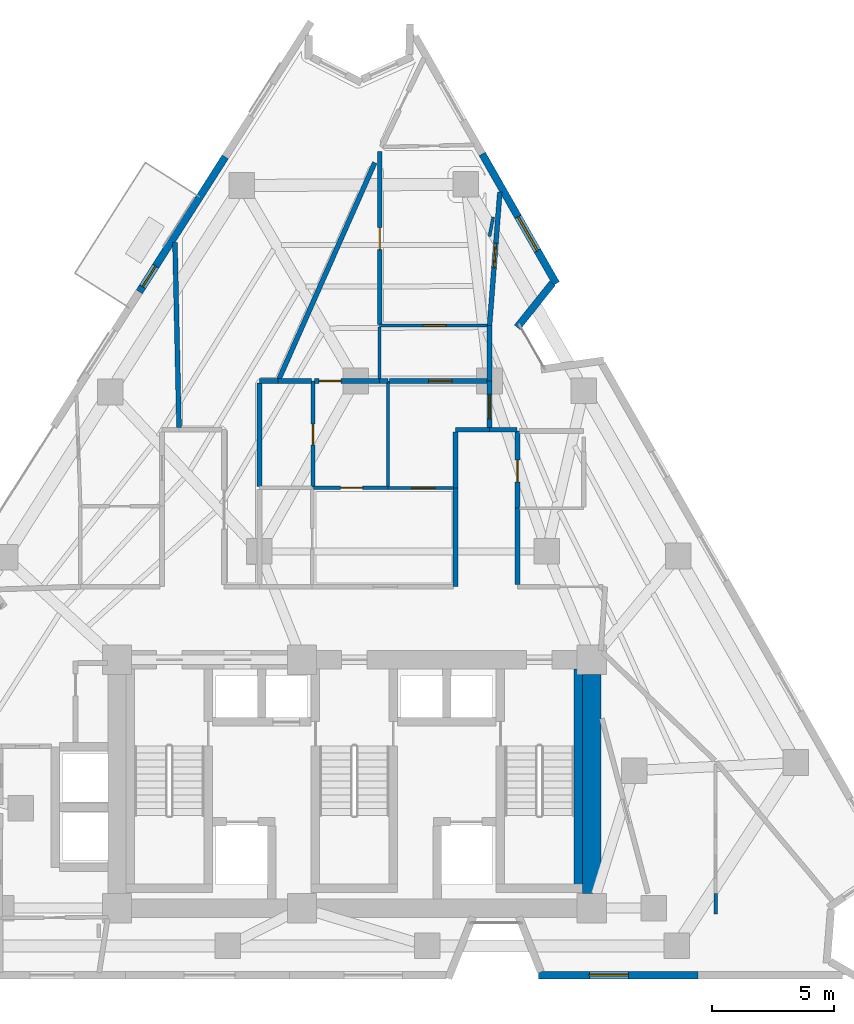
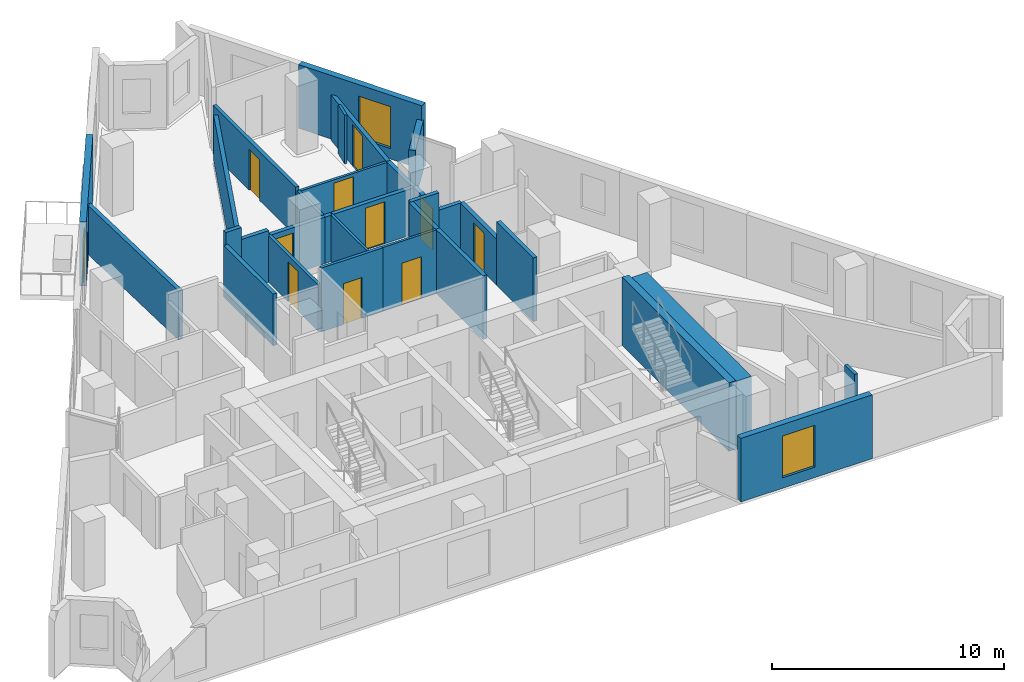
# One storey, part 7 of 11: 32 walls, 11 doors, 2 windows, 13 openings.
"""IFC4 building model written with IfcOpenShell, lengths in metres."""

import ifcopenshell
import ifcopenshell.guid

model = None  # the IFC model being written
_history = None  # IfcOwnerHistory: only IFC2X3 demands one
_inside = {}  # id of a spatial element -> (the spatial element, [elements in it])
_under = {}  # id of a project, library or spatial element -> (it, [spatial elements below it])
_declared = {}  # id of a project -> (the project, [libraries it declares])
_typed = {}  # id of a type object -> (the type object, [elements of that type])
_made_of = {}  # id of a material, layer set ... -> (it, [elements and type objects made of it])


def new_model(schema):
    """Start an empty IFC model of exactly this schema.

    Asked for "IFC4X3", IfcOpenShell would pick the latest addendum, in which some entities
    have other attributes; the version numbers below select the first issue.
    IFC2X3 requires an IfcOwnerHistory on every rooted entity: one is made here for all.
    """
    global model, _history
    if schema == "IFC4X3":
        model = ifcopenshell.file(schema_version=(4, 3, 0, 0))
    else:
        model = ifcopenshell.file(schema=schema)
    _inside.clear()
    _under.clear()
    _declared.clear()
    _typed.clear()
    _made_of.clear()
    _history = None
    if model.schema == "IFC2X3":
        org = make("IfcOrganization", Name="unknown")
        user = make(
            "IfcPersonAndOrganization",
            ThePerson=make("IfcPerson", FamilyName="unknown"),
            TheOrganization=org,
        )
        app = make(
            "IfcApplication",
            ApplicationDeveloper=org,
            Version="unknown",
            ApplicationFullName="unknown",
            ApplicationIdentifier="unknown",
        )
        _history = make(
            "IfcOwnerHistory",
            OwningUser=user,
            OwningApplication=app,
            ChangeAction="ADDED",
            CreationDate=0,
        )
    return model


def make(cls, **values):
    """One entity of the class cls with the attributes given. An attribute that is None is left unset."""
    return model.create_entity(
        cls, **{name: value for name, value in values.items() if value is not None}
    )


def rooted(cls, **values):
    """An entity with a GlobalId (a new one), such as an element, a storey or a relation."""
    return make(cls, GlobalId=ifcopenshell.guid.new(), OwnerHistory=_history, **values)


def si_unit(unit_type, name, prefix=None):
    """IfcSIUnit, for example si_unit("LENGTHUNIT", "METRE", prefix="MILLI")."""
    return make("IfcSIUnit", UnitType=unit_type, Prefix=prefix, Name=name)


def assignment(units):
    """IfcUnitAssignment: the units of a project."""
    return None if units is None else make("IfcUnitAssignment", Units=units)


def point(xyz):
    """IfcCartesianPoint."""
    return None if xyz is None else make("IfcCartesianPoint", Coordinates=xyz)


def direction(xyz):
    """IfcDirection."""
    return None if xyz is None else make("IfcDirection", DirectionRatios=xyz)


def frame(location, z_axis=None, x_axis=None):
    """IfcAxis2Placement3D, a coordinate frame: its origin and axes. An axis left out is left unset."""
    return make(
        "IfcAxis2Placement3D",
        Location=point(location),
        Axis=direction(z_axis),
        RefDirection=direction(x_axis),
    )


def frame_2d(location, x_axis=None):
    """IfcAxis2Placement2D, a coordinate frame in the plane: its origin and x axis."""
    return make(
        "IfcAxis2Placement2D", Location=point(location), RefDirection=direction(x_axis)
    )


def origin():
    """The frame at (0, 0, 0) with its axes left unset."""
    return frame((0.0, 0.0, 0.0))


def place(relative_to, where):
    """IfcLocalPlacement: puts the frame where relative to a parent placement (None: the world)."""
    return make(
        "IfcLocalPlacement", PlacementRelTo=relative_to, RelativePlacement=where
    )


def context(
    kind, dimensions, precision=None, world=None, true_north=None, identifier=None
):
    """IfcGeometricRepresentationContext, for example the 3D "Model" context."""
    return make(
        "IfcGeometricRepresentationContext",
        ContextIdentifier=identifier,
        ContextType=kind,
        CoordinateSpaceDimension=dimensions,
        Precision=precision,
        WorldCoordinateSystem=world,
        TrueNorth=true_north,
    )


def subcontext(parent, identifier, kind, view, scale=None):
    """IfcGeometricRepresentationSubContext, for example "Body" below "Model"."""
    return make(
        "IfcGeometricRepresentationSubContext",
        ContextIdentifier=identifier,
        ContextType=kind,
        ParentContext=parent,
        TargetScale=scale,
        TargetView=view,
    )


def project(units=None, contexts=None):
    """IfcProject with its units and contexts."""
    return rooted(
        "IfcProject",
        Name="project",
        RepresentationContexts=contexts,
        UnitsInContext=assignment(units),
    )


def spatial(cls, under=None, at=None, **own):
    """A site, building, storey or space (cls), placed at a placement, below another one or the project."""
    s = rooted(cls, ObjectPlacement=at, **own)
    if under is not None:
        _under.setdefault(under.id(), (under, []))[1].append(s)
    return s


def profile(cls, at=None, kind="AREA", **sizes):
    """A parametric profile (cls). Its sizes go by their IFC names, for example OverallWidth=200.0."""
    return make(cls, ProfileType=kind, Position=at, **sizes)


def rectangle(**sizes):
    """IfcRectangleProfileDef."""
    return profile("IfcRectangleProfileDef", **sizes)


def extrude(swept, where, along, depth):
    """IfcExtrudedAreaSolid: the profile swept, set in the frame where, extruded along a direction by depth."""
    return make(
        "IfcExtrudedAreaSolid",
        SweptArea=swept,
        Position=where,
        ExtrudedDirection=direction(along),
        Depth=depth,
    )


def shape(context_of_items, identifier, shape_type, items):
    """IfcShapeRepresentation: the items that make up one representation, for example the "Body"."""
    return make(
        "IfcShapeRepresentation",
        ContextOfItems=context_of_items,
        RepresentationIdentifier=identifier,
        RepresentationType=shape_type,
        Items=items,
    )


def material(Name=None, Category=None):
    """IfcMaterial."""
    return make("IfcMaterial", Name=Name, Category=Category)


def layer(
    of_material, thickness, ventilated=None, Name=None, Category=None, Priority=None
):
    """IfcMaterialLayer: one layer of a wall or slab, of a material (None: an air gap)."""
    return make(
        "IfcMaterialLayer",
        Material=of_material,
        LayerThickness=thickness,
        IsVentilated=ventilated,
        Name=Name,
        Category=Category,
        Priority=Priority,
    )


def layer_set(layers, Name=None):
    """IfcMaterialLayerSet."""
    return make("IfcMaterialLayerSet", MaterialLayers=layers, LayerSetName=Name)


def made_of(thing, what):
    """Note that an element or type object is made of a material, layer set ...; save() writes the relation."""
    if what is not None:
        _made_of.setdefault(what.id(), (what, []))[1].append(thing)
    return thing


def type_object(cls, material=None, **own):
    """A type object (cls), such as IfcWallType, which elements share."""
    return made_of(rooted(cls, **own), material)


def element(
    cls,
    number,
    at=None,
    inside=None,
    cuts=None,
    type_object=None,
    material=None,
    context=None,
    identifier="Body",
    shape_type=None,
    held_by="IfcProductDefinitionShape",
    body=None,
    shapes=None,
    **own,
):
    """One element of the class cls, such as IfcWall. Its Tag is "e" and its number.

    at: its placement. inside: the storey or other place that contains it. cuts: it is an
    opening in that element (IfcRelVoidsElement). A single representation is given by context,
    identifier, shape_type and body (its items); several are given by shapes. held_by: the class
    of the entity that holds the representations. save() writes the other relations.
    """
    e = rooted(cls, Tag="e%d" % number, ObjectPlacement=at, **own)
    if body is not None:
        shapes = [shape(context, identifier, shape_type, body)]
    if shapes is not None:
        e.Representation = make(held_by, Representations=shapes)
    if inside is not None:
        _inside.setdefault(inside.id(), (inside, []))[1].append(e)
    if cuts is not None:
        rooted(
            "IfcRelVoidsElement", RelatingBuildingElement=cuts, RelatedOpeningElement=e
        )
    if type_object is not None:
        _typed.setdefault(type_object.id(), (type_object, []))[1].append(e)
    return made_of(e, material)


def fill(opening, filler):
    """IfcRelFillsElement: the door or window that sits in an opening."""
    return rooted(
        "IfcRelFillsElement",
        RelatingOpeningElement=opening,
        RelatedBuildingElement=filler,
    )


def aggregate(whole, parts):
    """IfcRelAggregates: a whole, such as a stair, and the parts it consists of."""
    return rooted("IfcRelAggregates", RelatingObject=whole, RelatedObjects=parts)


def save(model, path):
    """Write the relations noted so far, then the file.

    IfcRelAggregates (storeys below a building ...), IfcRelContainedInSpatialStructure (elements
    in a storey), IfcRelDefinesByType, IfcRelAssociatesMaterial and IfcRelDeclares: one each for
    every whole, place, type object, material and project.
    """
    for whole, parts in _under.values():
        aggregate(whole, parts)
    for where, things in _inside.values():
        rooted(
            "IfcRelContainedInSpatialStructure",
            RelatedElements=things,
            RelatingStructure=where,
        )
    for kind, things in _typed.values():
        rooted("IfcRelDefinesByType", RelatedObjects=things, RelatingType=kind)
    for what, things in _made_of.values():
        rooted("IfcRelAssociatesMaterial", RelatedObjects=things, RelatingMaterial=what)
    for by, libraries in _declared.values():
        rooted("IfcRelDeclares", RelatingContext=by, RelatedDefinitions=libraries)
    model.write(path)


model = new_model("IFC4")

# Units and contexts
model_context = context("Model", 3, precision=1e-05, world=origin(), true_north=direction((0.0, 1.0)))
body_context = subcontext(model_context, "Body", "Model", "MODEL_VIEW")
ifc_project = project(units=[si_unit("LENGTHUNIT", "METRE"), si_unit("AREAUNIT", "SQUARE_METRE"), si_unit("VOLUMEUNIT", "CUBIC_METRE"), si_unit("PLANEANGLEUNIT", "RADIAN"), si_unit("MASSUNIT", "GRAM", prefix="KILO")], contexts=[model_context])

# Site, building, storey
site_placement = place(None, origin())
site = spatial("IfcSite", under=ifc_project, at=site_placement, CompositionType="ELEMENT")
building_placement = place(site_placement, origin())
building = spatial("IfcBuilding", under=site, at=building_placement, Name="Almagre Mirador Tower", CompositionType="ELEMENT")
storey_placement = place(building_placement, frame((0.0, 0.0, 135.60009765625)))
storey = spatial("IfcBuildingStorey", under=building, at=storey_placement, Name="L34", CompositionType="ELEMENT", Elevation=135.60009765625)

# Wall, opening, door
ifc_material_1 = material(Name="Precast concrete C50/60", Category="concrete")
ifc_layer_1 = layer(ifc_material_1, 0.300048828125)
ifc_layer_set_1 = layer_set([ifc_layer_1], Name="Precast concrete C50/60")
wall_type_1 = type_object("IfcWallType", Name="WAL-EXT-300", PredefinedType="SOLIDWALL", material=ifc_layer_set_1)
wall_1_placement = place(storey_placement, frame((28.469482421875, 29.862060546875, 0.0), z_axis=(0.0, 0.0, 1.0), x_axis=(0.537115953095, 0.843508419004, 0.0)))
wall_1 = element("IfcWall", 1, at=wall_1_placement, inside=storey, type_object=wall_type_1, Name="L34 expressed almagre precast frame wall 04", PredefinedType="SOLIDWALL", context=body_context, shape_type="SweptSolid", body=[
    extrude(rectangle(XDim=6.569091796875, YDim=0.300048828125, at=frame_2d((3.28466796875, 0.0))), origin(), (0.0, 0.0, 1.0), 3.349853515625),
])
opening_1_placement = place(wall_1_placement, frame((0.25, 0.0, 0.0)))
opening_1 = element("IfcOpeningElement", 2, at=opening_1_placement, cuts=wall_1, Name="Opening BD-01", PredefinedType="OPENING", context=body_context, shape_type="SweptSolid", body=[
    extrude(rectangle(XDim=1.0, YDim=2.199951171875, at=frame_2d((0.5, 1.10009765625))), frame((0.0, 0.159902, 0.0), z_axis=(0.0, -1.0, 0.0), x_axis=(1.0, 0.0, 0.0)), (0.0, 0.0, 1.0), 0.320049),
])
ifc_material_2 = material(Name="Black anodized aluminium and laminated glass", Category="aluminium")
door_type_1 = type_object("IfcDoorType", Name="DOR-BAL-1000X2200", OperationType="NOTDEFINED", PredefinedType="DOOR", material=ifc_material_2)
door_1_placement = place(opening_1_placement, origin())
door_1 = element("IfcDoor", 3, at=door_1_placement, inside=storey, type_object=door_type_1, Name="DR-1100 L34 west balcony glazed door 2", OperationType="SINGLE_SWING_LEFT", OverallHeight=2.199951171875, OverallWidth=1.0, PredefinedType="DOOR", context=body_context, shape_type="SweptSolid", body=[
    extrude(rectangle(XDim=1.0, YDim=2.199951171875, at=frame_2d((0.5, 1.10009765625))), frame((0.0, 0.02490234375, 0.0), z_axis=(0.0, -1.0, 0.0), x_axis=(1.0, 0.0, 0.0)), (0.0, 0.0, 1.0), 0.050048828125),
])
fill(opening_1, door_1)

# Wall, opening, window
wall_2_placement = place(storey_placement, frame((42.552001953125, 35.52392578125, 0.0), z_axis=(0.0, 0.0, 1.0), x_axis=(0.495688482465, -0.86850039053, 0.0)))
wall_2 = element("IfcWall", 4, at=wall_2_placement, inside=storey, type_object=wall_type_1, Name="L34 expressed almagre precast frame wall 11", PredefinedType="SOLIDWALL", context=body_context, shape_type="SweptSolid", body=[
    extrude(rectangle(XDim=6.12939453125, YDim=0.300048828125, at=frame_2d((3.064697265625, 0.0))), origin(), (0.0, 0.0, 1.0), 3.349853515625),
])
opening_2_placement = place(wall_2_placement, frame((2.97509765625, 0.0, 0.550048828125)))
opening_2 = element("IfcOpeningElement", 5, at=opening_2_placement, cuts=wall_2, Name="Opening WN-06", PredefinedType="OPENING", context=body_context, shape_type="SweptSolid", body=[
    extrude(rectangle(XDim=1.60009765625, YDim=2.199951171875, at=frame_2d((0.800048828125, 1.10009765625))), frame((0.0, 0.159902, 0.0), z_axis=(0.0, -1.0, 0.0), x_axis=(1.0, 0.0, 0.0)), (0.0, 0.0, 1.0), 0.320049),
])
ifc_material_3 = material(Name="Dark solar-control laminated hurricane glass", Category="glass")
window_type = type_object("IfcWindowType", Name="WIN-1600X2200", PartitioningType="DOUBLE_PANEL_VERTICAL", PredefinedType="WINDOW", material=ifc_material_3)
window_1_placement = place(opening_2_placement, origin())
window_1 = element("IfcWindow", 6, at=window_1_placement, inside=storey, type_object=window_type, Name="L34 recessed hurricane window L34-UH-KT", OverallHeight=2.199951171875, OverallWidth=1.60009765625, PartitioningType="SINGLE_PANEL", PredefinedType="WINDOW", context=body_context, shape_type="SweptSolid", body=[
    extrude(rectangle(XDim=1.60009765625, YDim=2.199951171875, at=frame_2d((0.800048828125, 1.10009765625))), frame((0.0, 0.030029296875, 0.0), z_axis=(0.0, -1.0, 0.0), x_axis=(1.0, 0.0, 0.0)), (0.0, 0.0, 1.0), 0.06005859375),
])
fill(opening_2, window_1)

# Wall
wall_3_placement = place(storey_placement, frame((45.43359375, 30.212646484375, 0.0), z_axis=(0.0, 0.0, 1.0), x_axis=(-0.624064384905, -0.781372922165, 0.0)))
element("IfcWall", 7, at=wall_3_placement, inside=storey, type_object=wall_type_1, Name="L34 expressed almagre precast frame wall 12", PredefinedType="SOLIDWALL", context=body_context, shape_type="SweptSolid", body=[
    extrude(rectangle(XDim=2.31396484375, YDim=0.300048828125, at=frame_2d((1.156982421875, 0.0))), origin(), (0.0, 0.0, 1.0), 2.574951171875),
])

# Wall, opening, window
wall_4_placement = place(storey_placement, frame((51.406005859375, 1.800048828125, 0.0), z_axis=(0.0, 0.0, 1.0), x_axis=(-1.0, 0.0, 0.0)))
wall_4 = element("IfcWall", 8, at=wall_4_placement, inside=storey, type_object=wall_type_1, Name="L34 expressed almagre precast frame wall 23", PredefinedType="SOLIDWALL", context=body_context, shape_type="SweptSolid", body=[
    extrude(rectangle(XDim=6.533935546875, YDim=0.300048828125, at=frame_2d((3.26708984375, 0.0))), origin(), (0.0, 0.0, 1.0), 3.349853515625),
])
opening_3_placement = place(wall_4_placement, frame((2.85009765625, 0.0, 0.550048828125)))
opening_3 = element("IfcOpeningElement", 9, at=opening_3_placement, cuts=wall_4, Name="Opening WN-06", PredefinedType="OPENING", context=body_context, shape_type="SweptSolid", body=[
    extrude(rectangle(XDim=1.60009765625, YDim=2.199951171875, at=frame_2d((0.800048828125, 1.10009765625))), frame((0.0, 0.159902, 0.0), z_axis=(0.0, -1.0, 0.0), x_axis=(1.0, 0.0, 0.0)), (0.0, 0.0, 1.0), 0.320049),
])
window_2_placement = place(opening_3_placement, origin())
window_2 = element("IfcWindow", 10, at=window_2_placement, inside=storey, type_object=window_type, Name="L34 recessed hurricane window L34-RST-C", OverallHeight=2.199951171875, OverallWidth=1.60009765625, PartitioningType="SINGLE_PANEL", PredefinedType="WINDOW", context=body_context, shape_type="SweptSolid", body=[
    extrude(rectangle(XDim=1.60009765625, YDim=2.199951171875, at=frame_2d((0.800048828125, 1.10009765625))), frame((0.0, 0.030029296875, 0.0), z_axis=(0.0, -1.0, 0.0), x_axis=(1.0, 0.0, 0.0)), (0.0, 0.0, 1.0), 0.06005859375),
])
fill(opening_3, window_2)

# Wall, opening, door
ifc_material_4 = material(Name="Gypsum acoustic stud partition", Category="other")
ifc_layer_2 = layer(ifc_material_4, 0.125)
ifc_layer_set_2 = layer_set([ifc_layer_2], Name="Gypsum acoustic stud partition")
wall_type_2 = type_object("IfcWallType", Name="WAL-PRT-125-UTL", PredefinedType="PARTITIONING", material=ifc_layer_set_2)
wall_5_placement = place(storey_placement, frame((41.364990234375, 21.81005859375, 0.0), z_axis=(0.0, 0.0, 1.0), x_axis=(-1.0, 0.0, 0.0)))
wall_5 = element("IfcWall", 11, at=wall_5_placement, inside=storey, type_object=wall_type_2, Name="L34 interior partition 042", PredefinedType="PARTITIONING", context=body_context, shape_type="SweptSolid", body=[
    extrude(rectangle(XDim=2.675048828125, YDim=0.125, at=frame_2d((1.33740234375, 0.0))), origin(), (0.0, 0.0, 1.0), 3.349853515625),
])
opening_4_placement = place(wall_5_placement, frame((0.76123046875, 0.0, 0.0)))
opening_4 = element("IfcOpeningElement", 12, at=opening_4_placement, cuts=wall_5, Name="Opening UD-01", PredefinedType="OPENING", context=body_context, shape_type="SweptSolid", body=[
    extrude(rectangle(XDim=0.949951171875, YDim=2.199951171875, at=frame_2d((0.47509765625, 1.10009765625))), frame((0.0, 0.0725, 0.0), z_axis=(0.0, -1.0, 0.0), x_axis=(1.0, 0.0, 0.0)), (0.0, 0.0, 1.0), 0.145),
])
ifc_material_5 = material(Name="Solid American walnut timber", Category="wood")
door_type_2 = type_object("IfcDoorType", Name="DOR-UNR-950X2200", OperationType="NOTDEFINED", PredefinedType="DOOR", material=ifc_material_5)
door_2_placement = place(opening_4_placement, origin())
door_2 = element("IfcDoor", 13, at=door_2_placement, inside=storey, type_object=door_type_2, Name="DR-1119 L34 interior door L34-UG-LV to L34-UG-KT", OperationType="SINGLE_SWING_LEFT", OverallHeight=2.199951171875, OverallWidth=0.949951171875, PredefinedType="DOOR", context=body_context, shape_type="SweptSolid", body=[
    extrude(rectangle(XDim=0.949951171875, YDim=2.199951171875, at=frame_2d((0.47509765625, 1.10009765625))), frame((0.0, 0.02490234375, 0.0), z_axis=(0.0, -1.0, 0.0), x_axis=(1.0, 0.0, 0.0)), (0.0, 0.0, 1.0), 0.050048828125),
])
fill(opening_4, door_2)

# Wall
wall_6_placement = place(storey_placement, frame((38.68994140625, 26.199951171875, 0.0), z_axis=(0.0, 0.0, 1.0), x_axis=(0.0, -1.0, 0.0)))
element("IfcWall", 14, at=wall_6_placement, inside=storey, type_object=wall_type_2, Name="L34 interior partition 046", PredefinedType="PARTITIONING", context=body_context, shape_type="SweptSolid", body=[
    extrude(rectangle(XDim=4.342529296875, YDim=0.125, at=frame_2d((2.17138671875, 0.0))), origin(), (0.0, 0.0, 1.0), 2.435791015625),
])

# Wall, opening, door
wall_7_placement = place(storey_placement, frame((38.340087890625, 28.469970703125, 0.0), z_axis=(0.0, 0.0, 1.0), x_axis=(1.0, 0.0, 0.0)))
wall_7 = element("IfcWall", 15, at=wall_7_placement, inside=storey, type_object=wall_type_2, Name="L34 interior partition 062", PredefinedType="PARTITIONING", context=body_context, shape_type="SweptSolid", body=[
    extrude(rectangle(XDim=4.4248046875, YDim=0.125, at=frame_2d((2.21240234375, 0.0))), origin(), (0.0, 0.0, 1.0), 2.371826171875),
])
opening_5_placement = place(wall_7_placement, frame((1.780029296875, 0.0, 0.0)))
opening_5 = element("IfcOpeningElement", 16, at=opening_5_placement, cuts=wall_7, Name="Opening UD-01", PredefinedType="OPENING", context=body_context, shape_type="SweptSolid", body=[
    extrude(rectangle(XDim=0.949951171875, YDim=2.199951171875, at=frame_2d((0.47509765625, 1.10009765625))), frame((0.0, 0.0725, 0.0), z_axis=(0.0, -1.0, 0.0), x_axis=(1.0, 0.0, 0.0)), (0.0, 0.0, 1.0), 0.145),
])
door_3_placement = place(opening_5_placement, origin())
door_3 = element("IfcDoor", 17, at=door_3_placement, inside=storey, type_object=door_type_2, Name="DR-1123 L34 interior door L34-UK-LV to L34-UK-KT", OperationType="SINGLE_SWING_LEFT", OverallHeight=2.199951171875, OverallWidth=0.949951171875, PredefinedType="DOOR", context=body_context, shape_type="SweptSolid", body=[
    extrude(rectangle(XDim=0.949951171875, YDim=2.199951171875, at=frame_2d((0.47509765625, 1.10009765625))), frame((0.0, 0.02490234375, 0.0), z_axis=(0.0, -1.0, 0.0), x_axis=(1.0, 0.0, 0.0)), (0.0, 0.0, 1.0), 0.050048828125),
])
fill(opening_5, door_3)

# Walls
wall_8_placement = place(storey_placement, frame((38.340087890625, 28.422607421875, 0.0), z_axis=(0.0, 0.0, 1.0), x_axis=(0.0, -1.0, 0.0)))
element("IfcWall", 18, at=wall_8_placement, inside=storey, type_object=wall_type_2, Name="L34 interior partition 064", PredefinedType="PARTITIONING", context=body_context, shape_type="SweptSolid", body=[
    extrude(rectangle(XDim=2.1376953125, YDim=0.125, at=frame_2d((1.06884765625, 0.0))), origin(), (0.0, 0.0, 1.0), 2.435791015625),
])
wall_9_placement = place(storey_placement, frame((43.0, 32.93603515625, 0.0), z_axis=(0.0, 0.0, 1.0), x_axis=(-0.184161767382, -0.98289594741, 0.0)))
element("IfcWall", 19, at=wall_9_placement, inside=storey, type_object=wall_type_2, Name="L34 interior partition 066", PredefinedType="PARTITIONING", context=body_context, shape_type="SweptSolid", body=[
    extrude(rectangle(XDim=0.81396484375, YDim=0.125, at=frame_2d((0.406982421875, 0.0))), origin(), (0.0, 0.0, 1.0), 2.56982421875),
])
ifc_material_6 = material(Name="Gypsum acoustic stud partition", Category="other")
ifc_layer_3 = layer(ifc_material_6, 0.14990234375)
ifc_layer_set_3 = layer_set([ifc_layer_3], Name="Gypsum acoustic stud partition")
wall_type_3 = type_object("IfcWallType", Name="WAL-PRT-150-STD", PredefinedType="PARTITIONING", material=ifc_layer_set_3)
wall_10_placement = place(storey_placement, frame((52.139892578125, 5.159912109375, 0.0), z_axis=(0.0, 0.0, 1.0), x_axis=(0.0, -1.0, 0.0)))
element("IfcWall", 20, at=wall_10_placement, inside=storey, type_object=wall_type_3, Name="L34 interior partition 033", PredefinedType="PARTITIONING", context=body_context, shape_type="SweptSolid", body=[
    extrude(rectangle(XDim=0.83984375, YDim=0.14990234375, at=frame_2d((0.419921875, 0.0))), origin(), (0.0, 0.0, 1.0), 2.56982421875),
])

# Wall, opening, door
wall_11_placement = place(storey_placement, frame((38.68994140625, 21.81005859375, 0.0), z_axis=(0.0, 0.0, 1.0), x_axis=(-1.0, 0.0, 0.0)))
wall_11 = element("IfcWall", 21, at=wall_11_placement, inside=storey, type_object=wall_type_3, Name="L34 interior partition 043", PredefinedType="PARTITIONING", context=body_context, shape_type="SweptSolid", body=[
    extrude(rectangle(XDim=3.06005859375, YDim=0.14990234375, at=frame_2d((1.530029296875, 0.0))), origin(), (0.0, 0.0, 1.0), 3.349853515625),
])
opening_6_placement = place(wall_11_placement, frame((1.052978515625, 0.0, 0.0)))
opening_6 = element("IfcOpeningElement", 22, at=opening_6_placement, cuts=wall_11, Name="Opening UD-02", PredefinedType="OPENING", context=body_context, shape_type="SweptSolid", body=[
    extrude(rectangle(XDim=0.89990234375, YDim=2.14990234375, at=frame_2d((0.449951171875, 1.074951171875))), frame((0.0, 0.084951, 0.0), z_axis=(0.0, -1.0, 0.0), x_axis=(1.0, 0.0, 0.0)), (0.0, 0.0, 1.0), 0.169902),
])
ifc_material_7 = material(Name="Solid American walnut timber", Category="wood")
door_type_3 = type_object("IfcDoorType", Name="DOR-UNR-900X2150", OperationType="NOTDEFINED", PredefinedType="DOOR", material=ifc_material_7)
door_4_placement = place(opening_6_placement, origin())
door_4 = element("IfcDoor", 23, at=door_4_placement, inside=storey, type_object=door_type_3, Name="DR-1121 L34 interior door L34-UG-LV to L34-UG-MB", OperationType="SINGLE_SWING_LEFT", OverallHeight=2.14990234375, OverallWidth=0.89990234375, PredefinedType="DOOR", context=body_context, shape_type="SweptSolid", body=[
    extrude(rectangle(XDim=0.89990234375, YDim=2.14990234375, at=frame_2d((0.449951171875, 1.074951171875))), frame((0.0, 0.02490234375, 0.0), z_axis=(0.0, -1.0, 0.0), x_axis=(1.0, 0.0, 0.0)), (0.0, 0.0, 1.0), 0.050048828125),
])
fill(opening_6, door_4)

wall_12_placement = place(storey_placement, frame((35.60009765625, 21.840087890625, 0.0), z_axis=(0.0, 0.0, 1.0), x_axis=(0.0, 1.0, 0.0)))
wall_12 = element("IfcWall", 24, at=wall_12_placement, inside=storey, type_object=wall_type_3, Name="L34 interior partition 049", PredefinedType="PARTITIONING", context=body_context, shape_type="SweptSolid", body=[
    extrude(rectangle(XDim=4.35986328125, YDim=0.14990234375, at=frame_2d((2.179931640625, 0.0))), origin(), (0.0, 0.0, 1.0), 2.435791015625),
])
opening_7_placement = place(wall_12_placement, frame((1.739990234375, 0.0, 0.0)))
opening_7 = element("IfcOpeningElement", 25, at=opening_7_placement, cuts=wall_12, Name="Opening UD-04", PredefinedType="OPENING", context=body_context, shape_type="SweptSolid", body=[
    extrude(rectangle(XDim=0.85009765625, YDim=2.10009765625, at=frame_2d((0.425048828125, 1.050048828125))), frame((0.0, 0.084951, 0.0), z_axis=(0.0, -1.0, 0.0), x_axis=(1.0, 0.0, 0.0)), (0.0, 0.0, 1.0), 0.169902),
])
ifc_material_8 = material(Name="Moisture-resistant oak timber", Category="wood")
door_type_4 = type_object("IfcDoorType", Name="DOR-UNR-850X2100", OperationType="NOTDEFINED", PredefinedType="DOOR", material=ifc_material_8)
door_5_placement = place(opening_7_placement, origin())
door_5 = element("IfcDoor", 26, at=door_5_placement, inside=storey, type_object=door_type_4, Name="DR-1122 L34 interior door L34-UG-MB to L34-UG-EN", OperationType="SINGLE_SWING_RIGHT", OverallHeight=2.10009765625, OverallWidth=0.85009765625, PredefinedType="DOOR", context=body_context, shape_type="SweptSolid", body=[
    extrude(rectangle(XDim=0.85009765625, YDim=2.10009765625, at=frame_2d((0.425048828125, 1.050048828125))), frame((0.0, 0.02490234375, 0.0), z_axis=(0.0, -1.0, 0.0), x_axis=(1.0, 0.0, 0.0)), (0.0, 0.0, 1.0), 0.050048828125),
])
fill(opening_7, door_5)

ifc_material_9 = material(Name="Gypsum acoustic stud partition", Category="other")
ifc_layer_4 = layer(ifc_material_9, 0.175048828125)
ifc_layer_set_4 = layer_set([ifc_layer_4], Name="Gypsum acoustic stud partition")
wall_type_4 = type_object("IfcWallType", Name="WAL-PRT-175-AC", PredefinedType="PARTITIONING", material=ifc_layer_set_4)
wall_13_placement = place(storey_placement, frame((38.340087890625, 35.6201171875, 0.0), z_axis=(0.0, 0.0, 1.0), x_axis=(0.0, -1.0, 0.0)))
wall_13 = element("IfcWall", 27, at=wall_13_placement, inside=storey, type_object=wall_type_4, Name="L34 interior partition 063", PredefinedType="PARTITIONING", context=body_context, shape_type="SweptSolid", body=[
    extrude(rectangle(XDim=7.1025390625, YDim=0.175048828125, at=frame_2d((3.55126953125, 0.0))), origin(), (0.0, 0.0, 1.0), 2.56982421875),
])
opening_8_placement = place(wall_13_placement, frame((3.125, 0.0, 0.0)))
opening_8 = element("IfcOpeningElement", 28, at=opening_8_placement, cuts=wall_13, Name="Opening UD-02", PredefinedType="OPENING", context=body_context, shape_type="SweptSolid", body=[
    extrude(rectangle(XDim=0.89990234375, YDim=2.14990234375, at=frame_2d((0.449951171875, 1.074951171875))), frame((0.0, 0.097402, 0.0), z_axis=(0.0, -1.0, 0.0), x_axis=(1.0, 0.0, 0.0)), (0.0, 0.0, 1.0), 0.195049),
])
door_6_placement = place(opening_8_placement, origin())
door_6 = element("IfcDoor", 29, at=door_6_placement, inside=storey, type_object=door_type_3, Name="DR-1125 L34 interior door L34-UK-LV to L34-UK-MB", OperationType="SINGLE_SWING_LEFT", OverallHeight=2.14990234375, OverallWidth=0.89990234375, PredefinedType="DOOR", context=body_context, shape_type="SweptSolid", body=[
    extrude(rectangle(XDim=0.89990234375, YDim=2.14990234375, at=frame_2d((0.449951171875, 1.074951171875))), frame((0.0, 0.02490234375, 0.0), z_axis=(0.0, -1.0, 0.0), x_axis=(1.0, 0.0, 0.0)), (0.0, 0.0, 1.0), 0.050048828125),
])
fill(opening_8, door_6)

# Walls
ifc_material_10 = material(Name="Gypsum acoustic stud partition", Category="other")
ifc_layer_5 = layer(ifc_material_10, 0.199951171875)
ifc_layer_set_5 = layer_set([ifc_layer_5], Name="Gypsum acoustic stud partition")
wall_type_5 = type_object("IfcWallType", Name="WAL-PRT-200-EI60", PredefinedType="PARTITIONING", material=ifc_layer_set_5)
wall_14_placement = place(storey_placement, frame((44.0, 17.8349609375, 0.0), z_axis=(0.0, 0.0, 1.0), x_axis=(0.0, 1.0, 0.0)))
element("IfcWall", 30, at=wall_14_placement, inside=storey, type_object=wall_type_5, Name="L34 interior partition 006", PredefinedType="PARTITIONING", context=body_context, shape_type="SweptSolid", body=[
    extrude(rectangle(XDim=3.14501953125, YDim=0.199951171875, at=frame_2d((1.572509765625, 0.0))), origin(), (0.0, 0.0, 1.0), 3.349853515625),
])
wall_15_placement = place(storey_placement, frame((41.449951171875, 21.81005859375, 0.0), z_axis=(0.0, 0.0, 1.0), x_axis=(0.0, -1.0, 0.0)))
element("IfcWall", 31, at=wall_15_placement, inside=storey, type_object=wall_type_5, Name="L34 interior partition 012", PredefinedType="PARTITIONING", context=body_context, shape_type="SweptSolid", body=[
    extrude(rectangle(XDim=4.06005859375, YDim=0.199951171875, at=frame_2d((2.030029296875, 0.0))), origin(), (0.0, 0.0, 1.0), 3.349853515625),
])
wall_16_placement = place(storey_placement, frame((42.85009765625, 24.199951171875, 0.0), z_axis=(0.0, 0.0, 1.0), x_axis=(-1.0, 0.0, 0.0)))
element("IfcWall", 32, at=wall_16_placement, inside=storey, type_object=wall_type_5, Name="L34 interior partition 015", PredefinedType="PARTITIONING", context=body_context, shape_type="SweptSolid", body=[
    extrude(rectangle(XDim=1.400146484375, YDim=0.199951171875, at=frame_2d((0.7001953125, 0.0))), origin(), (0.0, 0.0, 1.0), 3.349853515625),
])
wall_17_placement = place(storey_placement, frame((41.449951171875, 24.114990234375, 0.0), z_axis=(0.0, 0.0, 1.0), x_axis=(0.0, -1.0, 0.0)))
element("IfcWall", 33, at=wall_17_placement, inside=storey, type_object=wall_type_5, Name="L34 interior partition 016", PredefinedType="PARTITIONING", context=body_context, shape_type="SweptSolid", body=[
    extrude(rectangle(XDim=2.304931640625, YDim=0.199951171875, at=frame_2d((1.15234375, 0.0))), origin(), (0.0, 0.0, 1.0), 3.349853515625),
])

# Wall, opening, door
wall_18_placement = place(storey_placement, frame((44.0, 20.97998046875, 0.0), z_axis=(0.0, 0.0, 1.0), x_axis=(0.0, 1.0, 0.0)))
wall_18 = element("IfcWall", 34, at=wall_18_placement, inside=storey, type_object=wall_type_5, Name="L34 interior partition 017", PredefinedType="PARTITIONING", context=body_context, shape_type="SweptSolid", body=[
    extrude(rectangle(XDim=3.159912109375, YDim=0.199951171875, at=frame_2d((1.580078125, 0.0))), origin(), (0.0, 0.0, 1.0), 2.435791015625),
])
opening_9_placement = place(wall_18_placement, frame((1.07177734375, 0.0, 0.0)))
opening_9 = element("IfcOpeningElement", 35, at=opening_9_placement, cuts=wall_18, Name="Opening ID-03", PredefinedType="OPENING", context=body_context, shape_type="SweptSolid", body=[
    extrude(rectangle(XDim=0.89990234375, YDim=2.10009765625, at=frame_2d((0.449951171875, 1.050048828125))), frame((0.0, 0.110098, 0.0), z_axis=(0.0, -1.0, 0.0), x_axis=(1.0, 0.0, 0.0)), (0.0, 0.0, 1.0), 0.219951),
])
ifc_material_11 = material(Name="Fire-rated hollow steel", Category="steel")
door_type_5 = type_object("IfcDoorType", Name="DOR-FD60-900X2100", OperationType="NOTDEFINED", PredefinedType="DOOR", material=ifc_material_11)
door_7_placement = place(opening_9_placement, origin())
door_7 = element("IfcDoor", 36, at=door_7_placement, inside=storey, type_object=door_type_5, Name="DR-1109 L34 interior door L34-RCOR to L34-UH-ST", OperationType="SINGLE_SWING_RIGHT", OverallHeight=2.10009765625, OverallWidth=0.89990234375, PredefinedType="DOOR", context=body_context, shape_type="SweptSolid", body=[
    extrude(rectangle(XDim=0.89990234375, YDim=2.10009765625, at=frame_2d((0.449951171875, 1.050048828125))), frame((0.0, 0.02490234375, 0.0), z_axis=(0.0, -1.0, 0.0), x_axis=(1.0, 0.0, 0.0)), (0.0, 0.0, 1.0), 0.050048828125),
])
fill(opening_9, door_7)

# Walls
wall_19_placement = place(storey_placement, frame((43.97509765625, 24.199951171875, 0.0), z_axis=(0.0, 0.0, 1.0), x_axis=(-1.0, 0.0, 0.0)))
element("IfcWall", 37, at=wall_19_placement, inside=storey, type_object=wall_type_5, Name="L34 interior partition 018", PredefinedType="PARTITIONING", context=body_context, shape_type="SweptSolid", body=[
    extrude(rectangle(XDim=1.125, YDim=0.199951171875, at=frame_2d((0.5625, 0.0))), origin(), (0.0, 0.0, 1.0), 2.435791015625),
])
wall_20_placement = place(storey_placement, frame((30.0986328125, 24.284912109375, 0.0), z_axis=(0.0, 0.0, 1.0), x_axis=(-0.021757005601, 0.999763288337, 0.0)))
element("IfcWall", 38, at=wall_20_placement, inside=storey, type_object=wall_type_5, Name="L34 interior partition 039", PredefinedType="PARTITIONING", context=body_context, shape_type="SweptSolid", body=[
    extrude(rectangle(XDim=7.60791015625, YDim=0.199951171875, at=frame_2d((3.803955078125, 0.0))), origin(), (0.0, 0.0, 1.0), 2.56982421875),
])

# Wall, opening, door
wall_21_placement = place(storey_placement, frame((42.85009765625, 24.284912109375, 0.0), z_axis=(0.0, 0.0, 1.0), x_axis=(0.0, 1.0, 0.0)))
wall_21 = element("IfcWall", 39, at=wall_21_placement, inside=storey, type_object=wall_type_5, Name="L34 interior partition 047", PredefinedType="PARTITIONING", context=body_context, shape_type="SweptSolid", body=[
    extrude(rectangle(XDim=1.9150390625, YDim=0.199951171875, at=frame_2d((0.95751953125, 0.0))), origin(), (0.0, 0.0, 1.0), 2.435791015625),
])
opening_10_placement = place(wall_21_placement, frame((0.363525390625, 0.0, 0.0)))
opening_10 = element("IfcOpeningElement", 40, at=opening_10_placement, cuts=wall_21, Name="Opening ID-01", PredefinedType="OPENING", context=body_context, shape_type="SweptSolid", body=[
    extrude(rectangle(XDim=1.0, YDim=2.199951171875, at=frame_2d((0.5, 1.10009765625))), frame((0.0, 0.110098, 0.0), z_axis=(0.0, -1.0, 0.0), x_axis=(1.0, 0.0, 0.0)), (0.0, 0.0, 1.0), 0.219951),
])
ifc_material_12 = material(Name="Fire-rated walnut timber", Category="wood")
door_type_6 = type_object("IfcDoorType", Name="DOR-FD60-1000X2200", OperationType="NOTDEFINED", PredefinedType="DOOR", material=ifc_material_12)
door_8_placement = place(opening_10_placement, origin())
door_8 = element("IfcDoor", 41, at=door_8_placement, inside=storey, type_object=door_type_6, Name="DR-1126 L34 interior door L34-UG-KT to L34-UH-KT", OperationType="SINGLE_SWING_RIGHT", OverallHeight=2.199951171875, OverallWidth=1.0, PredefinedType="DOOR", context=body_context, shape_type="SweptSolid", body=[
    extrude(rectangle(XDim=1.0, YDim=2.199951171875, at=frame_2d((0.5, 1.10009765625))), frame((0.0, 0.02490234375, 0.0), z_axis=(0.0, -1.0, 0.0), x_axis=(1.0, 0.0, 0.0)), (0.0, 0.0, 1.0), 0.050048828125),
])
fill(opening_10, door_8)

wall_22_placement = place(storey_placement, frame((42.764892578125, 26.199951171875, 0.0), z_axis=(0.0, 0.0, 1.0), x_axis=(-1.0, 0.0, 0.0)))
wall_22 = element("IfcWall", 42, at=wall_22_placement, inside=storey, type_object=wall_type_5, Name="L34 interior partition 048", PredefinedType="PARTITIONING", context=body_context, shape_type="SweptSolid", body=[
    extrude(rectangle(XDim=4.02734375, YDim=0.199951171875, at=frame_2d((2.013671875, 0.0))), origin(), (0.0, 0.0, 1.0), 2.435791015625),
])
opening_11_placement = place(wall_22_placement, frame((1.46142578125, 0.0, 0.0)))
opening_11 = element("IfcOpeningElement", 43, at=opening_11_placement, cuts=wall_22, Name="Opening UD-01", PredefinedType="OPENING", context=body_context, shape_type="SweptSolid", body=[
    extrude(rectangle(XDim=0.949951171875, YDim=2.199951171875, at=frame_2d((0.47509765625, 1.10009765625))), frame((0.0, 0.110098, 0.0), z_axis=(0.0, -1.0, 0.0), x_axis=(1.0, 0.0, 0.0)), (0.0, 0.0, 1.0), 0.219951),
])
door_9_placement = place(opening_11_placement, origin())
door_9 = element("IfcDoor", 44, at=door_9_placement, inside=storey, type_object=door_type_2, Name="DR-1131 L34 interior door L34-UK-KT to L34-UG-KT", OperationType="SINGLE_SWING_LEFT", OverallHeight=2.199951171875, OverallWidth=0.949951171875, PredefinedType="DOOR", context=body_context, shape_type="SweptSolid", body=[
    extrude(rectangle(XDim=0.949951171875, YDim=2.199951171875, at=frame_2d((0.47509765625, 1.10009765625))), frame((0.0, 0.02490234375, 0.0), z_axis=(0.0, -1.0, 0.0), x_axis=(1.0, 0.0, 0.0)), (0.0, 0.0, 1.0), 0.050048828125),
])
fill(opening_11, door_9)

# Wall
wall_23_placement = place(storey_placement, frame((38.68994140625, 26.199951171875, 0.0), z_axis=(0.0, 0.0, 1.0), x_axis=(-1.0, 0.0, 0.0)))
element("IfcWall", 45, at=wall_23_placement, inside=storey, type_object=wall_type_5, Name="L34 interior partition 050", PredefinedType="PARTITIONING", context=body_context, shape_type="SweptSolid", body=[
    extrude(rectangle(XDim=0.349853515625, YDim=0.199951171875, at=frame_2d((0.1748046875, 0.0))), origin(), (0.0, 0.0, 1.0), 2.435791015625),
])

# Wall, opening, door
wall_24_placement = place(storey_placement, frame((38.340087890625, 26.199951171875, 0.0), z_axis=(0.0, 0.0, 1.0), x_axis=(-1.0, 0.0, 0.0)))
wall_24 = element("IfcWall", 46, at=wall_24_placement, inside=storey, type_object=wall_type_5, Name="L34 interior partition 051", PredefinedType="PARTITIONING", context=body_context, shape_type="SweptSolid", body=[
    extrude(rectangle(XDim=2.68017578125, YDim=0.199951171875, at=frame_2d((1.340087890625, 0.0))), origin(), (0.0, 0.0, 1.0), 2.435791015625),
])
opening_12_placement = place(wall_24_placement, frame((1.588623046875, 0.0, 0.0)))
opening_12 = element("IfcOpeningElement", 47, at=opening_12_placement, cuts=wall_24, Name="Opening UD-02", PredefinedType="OPENING", context=body_context, shape_type="SweptSolid", body=[
    extrude(rectangle(XDim=0.89990234375, YDim=2.14990234375, at=frame_2d((0.449951171875, 1.074951171875))), frame((0.0, 0.110098, 0.0), z_axis=(0.0, -1.0, 0.0), x_axis=(1.0, 0.0, 0.0)), (0.0, 0.0, 1.0), 0.219951),
])
door_10_placement = place(opening_12_placement, origin())
door_10 = element("IfcDoor", 48, at=door_10_placement, inside=storey, type_object=door_type_3, Name="DR-1132 L34 interior door L34-UK-MB to L34-UG-MB", OperationType="SINGLE_SWING_LEFT", OverallHeight=2.14990234375, OverallWidth=0.89990234375, PredefinedType="DOOR", context=body_context, shape_type="SweptSolid", body=[
    extrude(rectangle(XDim=0.89990234375, YDim=2.14990234375, at=frame_2d((0.449951171875, 1.074951171875))), frame((0.0, 0.02490234375, 0.0), z_axis=(0.0, -1.0, 0.0), x_axis=(1.0, 0.0, 0.0)), (0.0, 0.0, 1.0), 0.050048828125),
])
fill(opening_12, door_10)

# Walls
wall_25_placement = place(storey_placement, frame((34.169921875, 26.199951171875, 0.0), z_axis=(0.0, 0.0, 1.0), x_axis=(-1.0, 0.0, 0.0)))
element("IfcWall", 49, at=wall_25_placement, inside=storey, type_object=wall_type_5, Name="L34 interior partition 052", PredefinedType="PARTITIONING", context=body_context, shape_type="SweptSolid", body=[
    extrude(rectangle(XDim=0.77001953125, YDim=0.199951171875, at=frame_2d((0.385009765625, 0.0))), origin(), (0.0, 0.0, 1.0), 3.349853515625),
])
wall_26_placement = place(storey_placement, frame((33.39990234375, 26.114990234375, 0.0), z_axis=(0.0, 0.0, 1.0), x_axis=(0.0, -1.0, 0.0)))
element("IfcWall", 50, at=wall_26_placement, inside=storey, type_object=wall_type_5, Name="L34 interior partition 053", PredefinedType="PARTITIONING", context=body_context, shape_type="SweptSolid", body=[
    extrude(rectangle(XDim=4.244873046875, YDim=0.199951171875, at=frame_2d((2.12255859375, 0.0))), origin(), (0.0, 0.0, 1.0), 2.708984375),
])
wall_27_placement = place(storey_placement, frame((35.5400390625, 26.199951171875, 0.0), z_axis=(0.0, 0.0, 1.0), x_axis=(-1.0, 0.0, 0.0)))
element("IfcWall", 51, at=wall_27_placement, inside=storey, type_object=wall_type_5, Name="L34 interior partition 054", PredefinedType="PARTITIONING", context=body_context, shape_type="SweptSolid", body=[
    extrude(rectangle(XDim=1.3701171875, YDim=0.199951171875, at=frame_2d((0.68505859375, 0.0))), origin(), (0.0, 0.0, 1.0), 2.708984375),
])

# Wall, opening, door
wall_28_placement = place(storey_placement, frame((43.27587890625, 33.964111328125, 0.0), z_axis=(0.0, 0.0, 1.0), x_axis=(-0.077265658671, -0.997010540561, 0.0)))
wall_28 = element("IfcWall", 52, at=wall_28_placement, inside=storey, type_object=wall_type_5, Name="L34 interior partition 057", PredefinedType="PARTITIONING", context=body_context, shape_type="SweptSolid", body=[
    extrude(rectangle(XDim=5.510498046875, YDim=0.199951171875, at=frame_2d((2.75537109375, 0.0))), origin(), (0.0, 0.0, 1.0), 2.371826171875),
])
opening_13_placement = place(wall_28_placement, frame((2.1162109375, 0.0, 0.0)))
opening_13 = element("IfcOpeningElement", 53, at=opening_13_placement, cuts=wall_28, Name="Opening ID-01", PredefinedType="OPENING", context=body_context, shape_type="SweptSolid", body=[
    extrude(rectangle(XDim=1.0, YDim=2.199951171875, at=frame_2d((0.5, 1.10009765625))), frame((0.0, 0.110098, 0.0), z_axis=(0.0, -1.0, 0.0), x_axis=(1.0, 0.0, 0.0)), (0.0, 0.0, 1.0), 0.219951),
])
door_11_placement = place(opening_13_placement, origin())
door_11 = element("IfcDoor", 54, at=door_11_placement, inside=storey, type_object=door_type_6, Name="DR-1127 L34 interior door L34-UH-KT to L34-UK-LV", OperationType="SINGLE_SWING_LEFT", OverallHeight=2.199951171875, OverallWidth=1.0, PredefinedType="DOOR", context=body_context, shape_type="SweptSolid", body=[
    extrude(rectangle(XDim=1.0, YDim=2.199951171875, at=frame_2d((0.5, 1.10009765625))), frame((0.0, 0.02490234375, 0.0), z_axis=(0.0, -1.0, 0.0), x_axis=(1.0, 0.0, 0.0)), (0.0, 0.0, 1.0), 0.050048828125),
])
fill(opening_13, door_11)

# Walls
wall_29_placement = place(storey_placement, frame((42.85009765625, 28.469970703125, 0.0), z_axis=(0.0, 0.0, 1.0), x_axis=(0.0, -1.0, 0.0)))
element("IfcWall", 55, at=wall_29_placement, inside=storey, type_object=wall_type_5, Name="L34 interior partition 058", PredefinedType="PARTITIONING", context=body_context, shape_type="SweptSolid", body=[
    extrude(rectangle(XDim=2.27001953125, YDim=0.199951171875, at=frame_2d((1.135009765625, 0.0))), origin(), (0.0, 0.0, 1.0), 2.371826171875),
])
wall_30_placement = place(storey_placement, frame((34.204345703125, 26.277587890625, 0.0), z_axis=(0.0, 0.0, 1.0), x_axis=(0.404777402146, 0.914415252887, 0.0)))
element("IfcWall", 56, at=wall_30_placement, inside=storey, type_object=wall_type_5, Name="L34 interior partition 060", PredefinedType="PARTITIONING", context=body_context, shape_type="SweptSolid", body=[
    extrude(rectangle(XDim=9.72265625, YDim=0.199951171875, at=frame_2d((4.861328125, 0.0))), origin(), (0.0, 0.0, 1.0), 2.371826171875),
])
ifc_material_13 = material(Name="Concrete C60/75", Category="concrete")
ifc_layer_6 = layer(ifc_material_13, 0.35009765625)
ifc_layer_set_6 = layer_set([ifc_layer_6], Name="Concrete C60/75")
wall_type_6 = type_object("IfcWallType", Name="WAL-SHF-350", PredefinedType="SOLIDWALL", material=ifc_layer_set_6)
wall_31_placement = place(storey_placement, frame((46.5, 5.199951171875, 0.0), z_axis=(0.0, 0.0, 1.0), x_axis=(0.0, 1.0, 0.0)))
element("IfcWall", 57, at=wall_31_placement, inside=storey, type_object=wall_type_6, Name="L34 shaft wall ST3-E", PredefinedType="SOLIDWALL", context=body_context, shape_type="SweptSolid", body=[
    extrude(rectangle(XDim=9.175048828125, YDim=0.35009765625, at=frame_2d((4.58740234375, 0.0))), origin(), (0.0, 0.0, 1.0), 3.599853515625),
])
ifc_material_14 = material(Name="Concrete C60/75", Category="concrete")
ifc_layer_7 = layer(ifc_material_14, 0.75)
ifc_layer_set_7 = layer_set([ifc_layer_7], Name="Concrete C60/75")
wall_type_7 = type_object("IfcWallType", Name="WAL-SHR-750", PredefinedType="SHEAR", material=ifc_layer_set_7)
wall_32_placement = place(storey_placement, frame((47.050048828125, 5.14990234375, 0.0), z_axis=(0.0, 0.0, 1.0), x_axis=(0.0, 1.0, 0.0)))
element("IfcWall", 58, at=wall_32_placement, inside=storey, type_object=wall_type_7, Name="L34 core shear wall E1", PredefinedType="SHEAR", context=body_context, shape_type="SweptSolid", body=[
    extrude(rectangle(XDim=9.0, YDim=0.75, at=frame_2d((4.5, 0.0))), origin(), (0.0, 0.0, 1.0), 3.599853515625),
])

save(model, "model.ifc")
